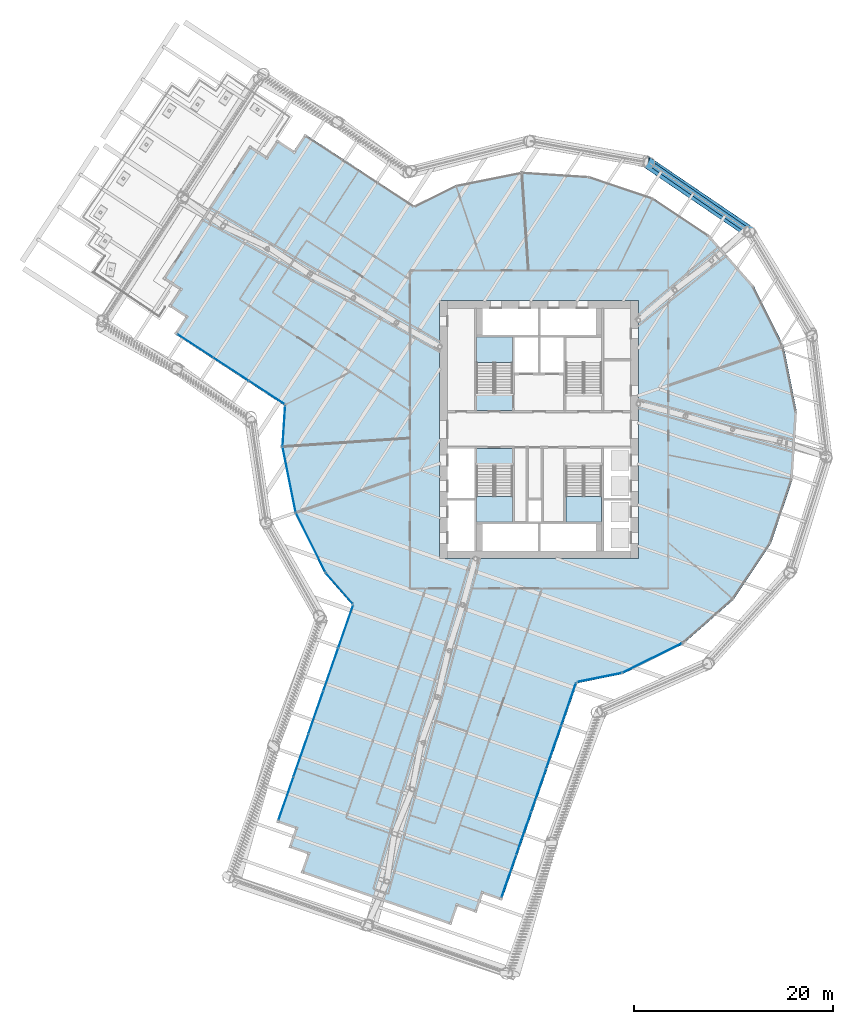
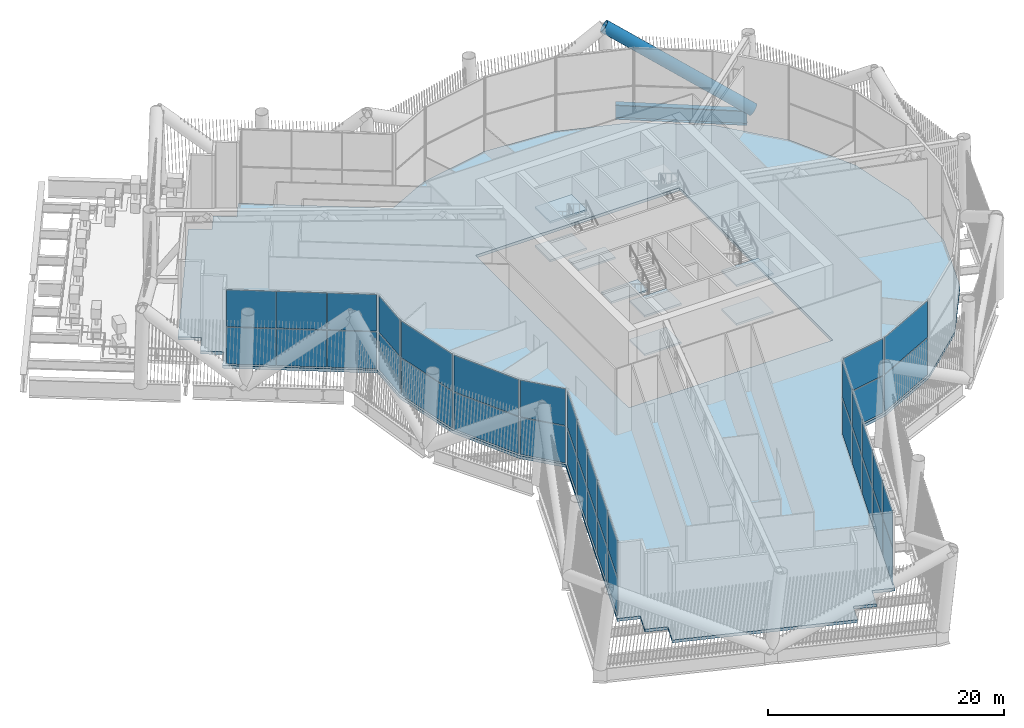
# One storey, part 37 of 63: 38 plates, 9 slabs, 1 beam, 1 member, 12 elements without a shape of their own.
"""IFC4 building model written with IfcOpenShell, lengths in metres."""

from ifc_helpers import new_model, si_unit, direction, frame, origin, origin_2d, place, context, subcontext, project, spatial, polyline, rectangle, hollow_circle, i_section, outline, extrude, material, layer, layer_set, material_profile, profile_set, type_object, element, aggregate, save


model = new_model("IFC4")

# Units and contexts
model_context = context("Model", 3, precision=1e-05, world=origin(), true_north=direction((0.0, 1.0)))
body_context = subcontext(model_context, "Body", "Model", "MODEL_VIEW")
ifc_project = project(units=[si_unit("LENGTHUNIT", "METRE"), si_unit("AREAUNIT", "SQUARE_METRE"), si_unit("VOLUMEUNIT", "CUBIC_METRE"), si_unit("PLANEANGLEUNIT", "RADIAN"), si_unit("MASSUNIT", "GRAM", prefix="KILO")], contexts=[model_context])

# Site, building, storey
site_placement = place(None, origin())
site = spatial("IfcSite", under=ifc_project, at=site_placement, CompositionType="ELEMENT")
building_placement = place(site_placement, origin())
building = spatial("IfcBuilding", under=site, at=building_placement, Name="Tarsis Ring Headquarters", CompositionType="ELEMENT")
storey_placement = place(building_placement, frame((0.0, 0.0, 139.60009765625)))
storey = spatial("IfcBuildingStorey", under=building, at=storey_placement, Name="L32", CompositionType="ELEMENT", Elevation=139.60009765625)

# Member
ifc_material_1 = material(Name="Structural steel S355", Category="steel")
ifc_material_profile_1 = material_profile(ifc_material_1, hollow_circle(Radius=0.584228515625, WallThickness=0.044921875, at=origin_2d()), Name="CHS 1168x45")
ifc_profile_set_1 = profile_set([ifc_material_profile_1], Name="Structural steel S355")
member_type = type_object("IfcMemberType", Name="TD Belt truss diagonal CHS 1168x45", PredefinedType="BRACE", material=ifc_profile_set_1)
member_placement = place(storey_placement, frame((21.181640625, 19.878662109375, 0.0), z_axis=(-0.699764612633, 0.475474825032, 0.533153990577), x_axis=(-0.562014878479, -0.827127122254, 0.0)))
element("IfcMember", 1, at=member_placement, inside=storey, type_object=member_type, Name="Belt truss diagonal TD3", PredefinedType="BRACE", context=body_context, shape_type="SweptSolid", body=[
    extrude(hollow_circle(Radius=0.584228515625, WallThickness=0.044921875, at=origin_2d()), origin(), (0.0, 0.0, 1.0), 15.005126953125),
])

# Beam
ifc_material_profile_2 = material_profile(ifc_material_1, i_section(OverallWidth=0.550048828125, OverallDepth=1.5, WebThickness=0.030029296875, FlangeThickness=0.050048828125, at=origin_2d()), Name="PG 1500x550x30x50")
ifc_profile_set_2 = profile_set([ifc_material_profile_2], Name="Structural steel S355")
beam_type = type_object("IfcBeamType", Name="XG Ring girder PG 1500x550x30x50", PredefinedType="BEAM", material=ifc_profile_set_2)
beam_placement = place(storey_placement, frame((20.7490234375, 20.177490234375, -0.75), z_axis=(-0.822683245151, 0.568500024756, 0.0), x_axis=(-0.568500024756, -0.822683245151, 0.0)))
element("IfcBeam", 2, at=beam_placement, inside=storey, type_object=beam_type, Name="Ring girder XG6", PredefinedType="BEAM", context=body_context, shape_type="SweptSolid", body=[
    extrude(i_section(OverallWidth=0.550048828125, OverallDepth=1.5, WebThickness=0.030029296875, FlangeThickness=0.050048828125, at=origin_2d()), origin(), (0.0, 0.0, 1.0), 11.197509765625),
])

# Stair, slabs
ifc_material_2 = material(Name="Core stair 1760")
stair_type = type_object("IfcStairType", Name="Core stair 1760", PredefinedType="HALF_TURN_STAIR", material=ifc_material_2)
stair_1_placement = place(storey_placement, origin())
stair_1 = element("IfcStair", 3, at=stair_1_placement, inside=storey, type_object=stair_type, Name="L32 Firefighting stair", PredefinedType="HALF_TURN_STAIR")
ifc_material_3 = material(Name="Concrete C40/50", Category="concrete")
ifc_layer_1 = layer(ifc_material_3, 0.199951171875)
ifc_layer_set_1 = layer_set([ifc_layer_1], Name="Core stair landing 200")
slab_type_1 = type_object("IfcSlabType", Name="Core stair landing 200", PredefinedType="LANDING", material=ifc_layer_set_1)
slab_1_placement = place(storey_placement, frame((0.0, 0.0, 1.7998046875)))
slab_1 = element("IfcSlab", 4, at=slab_1_placement, type_object=slab_type_1, Name="Stair ST1 landing 1", PredefinedType="LANDING", context=body_context, shape_type="SweptSolid", body=[
    extrude(outline(polyline([(-2.699951171875, 6.739990234375), (-2.699951171875, 9.300048828125), (-6.300048828125, 9.300048828125), (-6.300048828125, 6.739990234375), (-2.699951171875, 6.739990234375)])), origin(), (0.0, 0.0, 1.0), 0.2001953125),
])
slab_2_placement = place(storey_placement, frame((0.0, 0.0, 3.7998046875)))
slab_2 = element("IfcSlab", 5, at=slab_2_placement, type_object=slab_type_1, Name="Stair ST1 landing 2", PredefinedType="LANDING", context=body_context, shape_type="SweptSolid", body=[
    extrude(outline(polyline([(-2.699951171875, 1.89990234375), (-2.699951171875, 3.659912109375), (-6.300048828125, 3.659912109375), (-6.300048828125, 1.89990234375), (-2.699951171875, 1.89990234375)])), origin(), (0.0, 0.0, 1.0), 0.2001953125),
])
slab_3_placement = place(storey_placement, frame((0.0, 0.0, 5.7998046875)))
slab_3 = element("IfcSlab", 6, at=slab_3_placement, type_object=slab_type_1, Name="Stair ST1 landing 3", PredefinedType="LANDING", context=body_context, shape_type="SweptSolid", body=[
    extrude(outline(polyline([(-2.699951171875, 6.739990234375), (-2.699951171875, 9.300048828125), (-6.300048828125, 9.300048828125), (-6.300048828125, 6.739990234375), (-2.699951171875, 6.739990234375)])), origin(), (0.0, 0.0, 1.0), 0.2001953125),
])
aggregate(stair_1, [slab_1, slab_2, slab_3])

stair_2_placement = place(storey_placement, origin())
stair_2 = element("IfcStair", 7, at=stair_2_placement, inside=storey, type_object=stair_type, Name="L32 Exit stair C", PredefinedType="HALF_TURN_STAIR")
slab_4_placement = place(storey_placement, frame((0.0, 0.0, 1.7998046875)))
slab_4 = element("IfcSlab", 8, at=slab_4_placement, type_object=slab_type_1, Name="Stair ST3 landing 1", PredefinedType="LANDING", context=body_context, shape_type="SweptSolid", body=[
    extrude(outline(polyline([(-6.300048828125, -6.739990234375), (-6.300048828125, -9.300048828125), (-2.699951171875, -9.300048828125), (-2.699951171875, -6.739990234375), (-6.300048828125, -6.739990234375)])), origin(), (0.0, 0.0, 1.0), 0.2001953125),
])
slab_5_placement = place(storey_placement, frame((0.0, 0.0, 3.7998046875)))
slab_5 = element("IfcSlab", 9, at=slab_5_placement, type_object=slab_type_1, Name="Stair ST3 landing 2", PredefinedType="LANDING", context=body_context, shape_type="SweptSolid", body=[
    extrude(outline(polyline([(-6.300048828125, -1.89990234375), (-6.300048828125, -3.659912109375), (-2.699951171875, -3.659912109375), (-2.699951171875, -1.89990234375), (-6.300048828125, -1.89990234375)])), origin(), (0.0, 0.0, 1.0), 0.2001953125),
])
slab_6_placement = place(storey_placement, frame((0.0, 0.0, 5.7998046875)))
slab_6 = element("IfcSlab", 10, at=slab_6_placement, type_object=slab_type_1, Name="Stair ST3 landing 3", PredefinedType="LANDING", context=body_context, shape_type="SweptSolid", body=[
    extrude(outline(polyline([(-6.300048828125, -6.739990234375), (-6.300048828125, -9.300048828125), (-2.699951171875, -9.300048828125), (-2.699951171875, -6.739990234375), (-6.300048828125, -6.739990234375)])), origin(), (0.0, 0.0, 1.0), 0.2001953125),
])
aggregate(stair_2, [slab_4, slab_5, slab_6])

stair_3_placement = place(storey_placement, origin())
stair_3 = element("IfcStair", 11, at=stair_3_placement, inside=storey, type_object=stair_type, Name="L32 Exit stair D", PredefinedType="HALF_TURN_STAIR")
slab_7_placement = place(storey_placement, frame((0.0, 0.0, 1.7998046875)))
slab_7 = element("IfcSlab", 12, at=slab_7_placement, type_object=slab_type_1, Name="Stair ST4 landing 1", PredefinedType="LANDING", context=body_context, shape_type="SweptSolid", body=[
    extrude(outline(polyline([(2.699951171875, -6.739990234375), (2.699951171875, -9.300048828125), (6.300048828125, -9.300048828125), (6.300048828125, -6.739990234375), (2.699951171875, -6.739990234375)])), origin(), (0.0, 0.0, 1.0), 0.2001953125),
])
slab_8_placement = place(storey_placement, frame((0.0, 0.0, 5.7998046875)))
slab_8 = element("IfcSlab", 13, at=slab_8_placement, type_object=slab_type_1, Name="Stair ST4 landing 3", PredefinedType="LANDING", context=body_context, shape_type="SweptSolid", body=[
    extrude(outline(polyline([(2.699951171875, -6.739990234375), (2.699951171875, -9.300048828125), (6.300048828125, -9.300048828125), (6.300048828125, -6.739990234375), (2.699951171875, -6.739990234375)])), origin(), (0.0, 0.0, 1.0), 0.2001953125),
])
aggregate(stair_3, [slab_7, slab_8])

# Curtain wall, plates
ifc_material_4 = material(Name="Aluminium curtain wall", Category="aluminium")
ifc_layer_2 = layer(ifc_material_4, 0.25)
ifc_layer_set_2 = layer_set([ifc_layer_2], Name="Curtain wall sky lobby")
curtain_wall_type = type_object("IfcCurtainWallType", Name="Curtain wall sky lobby", PredefinedType="NOTDEFINED", material=ifc_layer_set_2)
curtain_wall_1_placement = place(storey_placement, origin())
curtain_wall_1 = element("IfcCurtainWall", 14, at=curtain_wall_1_placement, inside=storey, type_object=curtain_wall_type, Name="Curtain wall L32-01", PredefinedType="NOTDEFINED")
ifc_material_5 = material(Name="Clear double glazing", Category="glass")
ifc_layer_3 = layer(ifc_material_5, 0.028076171875)
ifc_layer_set_3 = layer_set([ifc_layer_3], Name="Curtain wall glass panel sky lobby")
plate_type = type_object("IfcPlateType", Name="Curtain wall glass panel sky lobby", PredefinedType="CURTAIN_PANEL", material=ifc_layer_set_3)
plate_1_placement = place(storey_placement, frame((-34.603759765625, 8.42431640625, 0.080078125), z_axis=(0.0, 0.0, 1.0), x_axis=(0.837146331946, -0.546978993115, 0.0)))
plate_1 = element("IfcPlate", 15, at=plate_1_placement, type_object=plate_type, Name="CW-S panel 1.1", PredefinedType="CURTAIN_PANEL", context=body_context, shape_type="SweptSolid", body=[
    extrude(rectangle(XDim=4.187255859375, YDim=0.028076171875, at=origin_2d()), origin(), (0.0, 0.0, 1.0), 3.800048828125),
])
plate_2_placement = place(storey_placement, frame((-34.603759765625, 8.42431640625, 3.9599609375), z_axis=(0.0, 0.0, 1.0), x_axis=(0.837146331946, -0.546978993115, 0.0)))
plate_2 = element("IfcPlate", 16, at=plate_2_placement, type_object=plate_type, Name="CW-S panel 1.2", PredefinedType="CURTAIN_PANEL", context=body_context, shape_type="SweptSolid", body=[
    extrude(rectangle(XDim=4.187255859375, YDim=0.028076171875, at=origin_2d()), origin(), (0.0, 0.0, 1.0), 3.800048828125),
])
plate_3_placement = place(storey_placement, frame((-31.0146484375, 6.079345703125, 0.080078125), z_axis=(0.0, 0.0, 1.0), x_axis=(0.837146331946, -0.546978993115, 0.0)))
plate_3 = element("IfcPlate", 17, at=plate_3_placement, type_object=plate_type, Name="CW-S panel 2.1", PredefinedType="CURTAIN_PANEL", context=body_context, shape_type="SweptSolid", body=[
    extrude(rectangle(XDim=4.227294921875, YDim=0.028076171875, at=origin_2d()), origin(), (0.0, 0.0, 1.0), 3.800048828125),
])
plate_4_placement = place(storey_placement, frame((-31.0146484375, 6.079345703125, 3.9599609375), z_axis=(0.0, 0.0, 1.0), x_axis=(0.837146331946, -0.546978993115, 0.0)))
plate_4 = element("IfcPlate", 18, at=plate_4_placement, type_object=plate_type, Name="CW-S panel 2.2", PredefinedType="CURTAIN_PANEL", context=body_context, shape_type="SweptSolid", body=[
    extrude(rectangle(XDim=4.227294921875, YDim=0.028076171875, at=origin_2d()), origin(), (0.0, 0.0, 1.0), 3.800048828125),
])
plate_5_placement = place(storey_placement, frame((-27.425537109375, 3.734375, 0.080078125), z_axis=(0.0, 0.0, 1.0), x_axis=(0.837146331946, -0.546978993115, 0.0)))
plate_5 = element("IfcPlate", 19, at=plate_5_placement, type_object=plate_type, Name="CW-S panel 3.1", PredefinedType="CURTAIN_PANEL", context=body_context, shape_type="SweptSolid", body=[
    extrude(rectangle(XDim=4.187255859375, YDim=0.028076171875, at=origin_2d()), origin(), (0.0, 0.0, 1.0), 3.800048828125),
])
plate_6_placement = place(storey_placement, frame((-27.425537109375, 3.734375, 3.9599609375), z_axis=(0.0, 0.0, 1.0), x_axis=(0.837146331946, -0.546978993115, 0.0)))
plate_6 = element("IfcPlate", 20, at=plate_6_placement, type_object=plate_type, Name="CW-S panel 3.2", PredefinedType="CURTAIN_PANEL", context=body_context, shape_type="SweptSolid", body=[
    extrude(rectangle(XDim=4.187255859375, YDim=0.028076171875, at=origin_2d()), origin(), (0.0, 0.0, 1.0), 3.800048828125),
])
aggregate(curtain_wall_1, [plate_1, plate_2, plate_3, plate_4, plate_5, plate_6])

curtain_wall_2_placement = place(storey_placement, origin())
curtain_wall_2 = element("IfcCurtainWall", 21, at=curtain_wall_2_placement, inside=storey, type_object=curtain_wall_type, Name="Curtain wall L32-02", PredefinedType="NOTDEFINED")
plate_7_placement = place(storey_placement, frame((-25.68212890625, 0.358154296875, 0.080078125), z_axis=(0.0, 0.0, 1.0), x_axis=(-0.063835484378, -0.997960435556, 0.0)))
plate_7 = element("IfcPlate", 22, at=plate_7_placement, type_object=plate_type, Name="CW-S panel 1.1", PredefinedType="CURTAIN_PANEL", context=body_context, shape_type="SweptSolid", body=[
    extrude(rectangle(XDim=3.99755859375, YDim=0.028076171875, at=origin_2d()), origin(), (0.0, 0.0, 1.0), 3.800048828125),
])
plate_8_placement = place(storey_placement, frame((-25.68212890625, 0.358154296875, 3.9599609375), z_axis=(0.0, 0.0, 1.0), x_axis=(-0.063835484378, -0.997960435556, 0.0)))
plate_8 = element("IfcPlate", 23, at=plate_8_placement, type_object=plate_type, Name="CW-S panel 1.2", PredefinedType="CURTAIN_PANEL", context=body_context, shape_type="SweptSolid", body=[
    extrude(rectangle(XDim=3.99755859375, YDim=0.028076171875, at=origin_2d()), origin(), (0.0, 0.0, 1.0), 3.800048828125),
])
aggregate(curtain_wall_2, [plate_7, plate_8])

curtain_wall_3_placement = place(storey_placement, origin())
curtain_wall_3 = element("IfcCurtainWall", 24, at=curtain_wall_3_placement, inside=storey, type_object=curtain_wall_type, Name="Curtain wall L32-03", PredefinedType="NOTDEFINED")
plate_9_placement = place(storey_placement, frame((-25.15185546875, -5.044189453125, 0.080078125), z_axis=(0.0, 0.0, 1.0), x_axis=(0.196630671205, -0.980477628068, 0.0)))
plate_9 = element("IfcPlate", 25, at=plate_9_placement, type_object=plate_type, Name="CW-S panel 1.1", PredefinedType="CURTAIN_PANEL", context=body_context, shape_type="SweptSolid", body=[
    extrude(rectangle(XDim=6.5615234375, YDim=0.028076171875, at=origin_2d()), origin(), (0.0, 0.0, 1.0), 3.800048828125),
])
plate_10_placement = place(storey_placement, frame((-25.15185546875, -5.044189453125, 3.9599609375), z_axis=(0.0, 0.0, 1.0), x_axis=(0.196630671205, -0.980477628068, 0.0)))
plate_10 = element("IfcPlate", 26, at=plate_10_placement, type_object=plate_type, Name="CW-S panel 1.2", PredefinedType="CURTAIN_PANEL", context=body_context, shape_type="SweptSolid", body=[
    extrude(rectangle(XDim=6.5615234375, YDim=0.028076171875, at=origin_2d()), origin(), (0.0, 0.0, 1.0), 3.800048828125),
])
aggregate(curtain_wall_3, [plate_9, plate_10])

curtain_wall_4_placement = place(storey_placement, origin())
curtain_wall_4 = element("IfcCurtainWall", 27, at=curtain_wall_4_placement, inside=storey, type_object=curtain_wall_type, Name="Curtain wall L32-04", PredefinedType="NOTDEFINED")
plate_11_placement = place(storey_placement, frame((-22.9892578125, -11.382080078125, 0.080078125), z_axis=(0.0, 0.0, 1.0), x_axis=(0.443696960471, -0.896176883918, 0.0)))
plate_11 = element("IfcPlate", 28, at=plate_11_placement, type_object=plate_type, Name="CW-S panel 1.1", PredefinedType="CURTAIN_PANEL", context=body_context, shape_type="SweptSolid", body=[
    extrude(rectangle(XDim=6.5615234375, YDim=0.028076171875, at=origin_2d()), origin(), (0.0, 0.0, 1.0), 3.800048828125),
])
plate_12_placement = place(storey_placement, frame((-22.9892578125, -11.382080078125, 3.9599609375), z_axis=(0.0, 0.0, 1.0), x_axis=(0.443696960471, -0.896176883918, 0.0)))
plate_12 = element("IfcPlate", 29, at=plate_12_placement, type_object=plate_type, Name="CW-S panel 1.2", PredefinedType="CURTAIN_PANEL", context=body_context, shape_type="SweptSolid", body=[
    extrude(rectangle(XDim=6.5615234375, YDim=0.028076171875, at=origin_2d()), origin(), (0.0, 0.0, 1.0), 3.800048828125),
])
aggregate(curtain_wall_4, [plate_11, plate_12])

curtain_wall_5_placement = place(storey_placement, origin())
curtain_wall_5 = element("IfcCurtainWall", 30, at=curtain_wall_5_placement, inside=storey, type_object=curtain_wall_type, Name="Curtain wall L32-05", PredefinedType="NOTDEFINED")
plate_13_placement = place(storey_placement, frame((-20.10693359375, -15.981689453125, 0.080078125), z_axis=(0.0, 0.0, 1.0), x_axis=(0.660526055427, -0.750803123396, 0.0)))
plate_13 = element("IfcPlate", 31, at=plate_13_placement, type_object=plate_type, Name="CW-S panel 1.1", PredefinedType="CURTAIN_PANEL", context=body_context, shape_type="SweptSolid", body=[
    extrude(rectangle(XDim=3.99755859375, YDim=0.028076171875, at=origin_2d()), origin(), (0.0, 0.0, 1.0), 3.800048828125),
])
plate_14_placement = place(storey_placement, frame((-20.10693359375, -15.981689453125, 3.9599609375), z_axis=(0.0, 0.0, 1.0), x_axis=(0.660526055427, -0.750803123396, 0.0)))
plate_14 = element("IfcPlate", 32, at=plate_14_placement, type_object=plate_type, Name="CW-S panel 1.2", PredefinedType="CURTAIN_PANEL", context=body_context, shape_type="SweptSolid", body=[
    extrude(rectangle(XDim=3.99755859375, YDim=0.028076171875, at=origin_2d()), origin(), (0.0, 0.0, 1.0), 3.800048828125),
])
aggregate(curtain_wall_5, [plate_13, plate_14])

curtain_wall_6_placement = place(storey_placement, origin())
curtain_wall_6 = element("IfcCurtainWall", 33, at=curtain_wall_6_placement, inside=storey, type_object=curtain_wall_type, Name="Curtain wall L32-06", PredefinedType="NOTDEFINED")
plate_15_placement = place(storey_placement, frame((-19.468505859375, -19.85009765625, 0.080078125), z_axis=(0.0, 0.0, 1.0), x_axis=(-0.328207238848, -0.94460574229, 0.0)))
plate_15 = element("IfcPlate", 34, at=plate_15_placement, type_object=plate_type, Name="CW-S panel 1.1", PredefinedType="CURTAIN_PANEL", context=body_context, shape_type="SweptSolid", body=[
    extrude(rectangle(XDim=4.46435546875, YDim=0.028076171875, at=origin_2d()), origin(), (0.0, 0.0, 1.0), 3.800048828125),
])
plate_16_placement = place(storey_placement, frame((-19.468505859375, -19.85009765625, 3.9599609375), z_axis=(0.0, 0.0, 1.0), x_axis=(-0.328207238848, -0.94460574229, 0.0)))
plate_16 = element("IfcPlate", 35, at=plate_16_placement, type_object=plate_type, Name="CW-S panel 1.2", PredefinedType="CURTAIN_PANEL", context=body_context, shape_type="SweptSolid", body=[
    extrude(rectangle(XDim=4.46435546875, YDim=0.028076171875, at=origin_2d()), origin(), (0.0, 0.0, 1.0), 3.800048828125),
])
plate_17_placement = place(storey_placement, frame((-20.966552734375, -24.16162109375, 0.080078125), z_axis=(0.0, 0.0, 1.0), x_axis=(-0.328207238848, -0.94460574229, 0.0)))
plate_17 = element("IfcPlate", 36, at=plate_17_placement, type_object=plate_type, Name="CW-S panel 2.1", PredefinedType="CURTAIN_PANEL", context=body_context, shape_type="SweptSolid", body=[
    extrude(rectangle(XDim=4.50439453125, YDim=0.028076171875, at=origin_2d()), origin(), (0.0, 0.0, 1.0), 3.800048828125),
])
plate_18_placement = place(storey_placement, frame((-20.966552734375, -24.16162109375, 3.9599609375), z_axis=(0.0, 0.0, 1.0), x_axis=(-0.328207238848, -0.94460574229, 0.0)))
plate_18 = element("IfcPlate", 37, at=plate_18_placement, type_object=plate_type, Name="CW-S panel 2.2", PredefinedType="CURTAIN_PANEL", context=body_context, shape_type="SweptSolid", body=[
    extrude(rectangle(XDim=4.50439453125, YDim=0.028076171875, at=origin_2d()), origin(), (0.0, 0.0, 1.0), 3.800048828125),
])
plate_19_placement = place(storey_placement, frame((-22.47119140625, -28.4921875, 0.080078125), z_axis=(0.0, 0.0, 1.0), x_axis=(-0.328207238848, -0.94460574229, 0.0)))
plate_19 = element("IfcPlate", 38, at=plate_19_placement, type_object=plate_type, Name="CW-S panel 3.1", PredefinedType="CURTAIN_PANEL", context=body_context, shape_type="SweptSolid", body=[
    extrude(rectangle(XDim=4.50439453125, YDim=0.028076171875, at=origin_2d()), origin(), (0.0, 0.0, 1.0), 3.800048828125),
])
plate_20_placement = place(storey_placement, frame((-22.47119140625, -28.4921875, 3.9599609375), z_axis=(0.0, 0.0, 1.0), x_axis=(-0.328207238848, -0.94460574229, 0.0)))
plate_20 = element("IfcPlate", 39, at=plate_20_placement, type_object=plate_type, Name="CW-S panel 3.2", PredefinedType="CURTAIN_PANEL", context=body_context, shape_type="SweptSolid", body=[
    extrude(rectangle(XDim=4.50439453125, YDim=0.028076171875, at=origin_2d()), origin(), (0.0, 0.0, 1.0), 3.800048828125),
])
plate_21_placement = place(storey_placement, frame((-23.975830078125, -32.822509765625, 0.080078125), z_axis=(0.0, 0.0, 1.0), x_axis=(-0.328207238848, -0.94460574229, 0.0)))
plate_21 = element("IfcPlate", 40, at=plate_21_placement, type_object=plate_type, Name="CW-S panel 4.1", PredefinedType="CURTAIN_PANEL", context=body_context, shape_type="SweptSolid", body=[
    extrude(rectangle(XDim=4.50439453125, YDim=0.028076171875, at=origin_2d()), origin(), (0.0, 0.0, 1.0), 3.800048828125),
])
plate_22_placement = place(storey_placement, frame((-23.975830078125, -32.822509765625, 3.9599609375), z_axis=(0.0, 0.0, 1.0), x_axis=(-0.328207238848, -0.94460574229, 0.0)))
plate_22 = element("IfcPlate", 41, at=plate_22_placement, type_object=plate_type, Name="CW-S panel 4.2", PredefinedType="CURTAIN_PANEL", context=body_context, shape_type="SweptSolid", body=[
    extrude(rectangle(XDim=4.50439453125, YDim=0.028076171875, at=origin_2d()), origin(), (0.0, 0.0, 1.0), 3.800048828125),
])
plate_23_placement = place(storey_placement, frame((-25.473876953125, -37.134033203125, 0.080078125), z_axis=(0.0, 0.0, 1.0), x_axis=(-0.328207238848, -0.94460574229, 0.0)))
plate_23 = element("IfcPlate", 42, at=plate_23_placement, type_object=plate_type, Name="CW-S panel 5.1", PredefinedType="CURTAIN_PANEL", context=body_context, shape_type="SweptSolid", body=[
    extrude(rectangle(XDim=4.46435546875, YDim=0.028076171875, at=origin_2d()), origin(), (0.0, 0.0, 1.0), 3.800048828125),
])
plate_24_placement = place(storey_placement, frame((-25.473876953125, -37.134033203125, 3.9599609375), z_axis=(0.0, 0.0, 1.0), x_axis=(-0.328207238848, -0.94460574229, 0.0)))
plate_24 = element("IfcPlate", 43, at=plate_24_placement, type_object=plate_type, Name="CW-S panel 5.2", PredefinedType="CURTAIN_PANEL", context=body_context, shape_type="SweptSolid", body=[
    extrude(rectangle(XDim=4.46435546875, YDim=0.028076171875, at=origin_2d()), origin(), (0.0, 0.0, 1.0), 3.800048828125),
])
aggregate(curtain_wall_6, [plate_15, plate_16, plate_17, plate_18, plate_19, plate_20, plate_21, plate_22, plate_23, plate_24])

curtain_wall_7_placement = place(storey_placement, origin())
curtain_wall_7 = element("IfcCurtainWall", 44, at=curtain_wall_7_placement, inside=storey, type_object=curtain_wall_type, Name="Curtain wall L32-16", PredefinedType="NOTDEFINED")
plate_25_placement = place(storey_placement, frame((-3.0400390625, -44.930908203125, 0.080078125), z_axis=(0.0, 0.0, 1.0), x_axis=(0.32820729271, 0.944605723576, 0.0)))
plate_25 = element("IfcPlate", 45, at=plate_25_placement, type_object=plate_type, Name="CW-S panel 1.1", PredefinedType="CURTAIN_PANEL", context=body_context, shape_type="SweptSolid", body=[
    extrude(rectangle(XDim=4.460205078125, YDim=0.028076171875, at=origin_2d()), origin(), (0.0, 0.0, 1.0), 3.800048828125),
])
plate_26_placement = place(storey_placement, frame((-3.0400390625, -44.930908203125, 3.9599609375), z_axis=(0.0, 0.0, 1.0), x_axis=(0.32820729271, 0.944605723576, 0.0)))
plate_26 = element("IfcPlate", 46, at=plate_26_placement, type_object=plate_type, Name="CW-S panel 1.2", PredefinedType="CURTAIN_PANEL", context=body_context, shape_type="SweptSolid", body=[
    extrude(rectangle(XDim=4.460205078125, YDim=0.028076171875, at=origin_2d()), origin(), (0.0, 0.0, 1.0), 3.800048828125),
])
plate_27_placement = place(storey_placement, frame((-1.54345703125, -40.623291015625, 0.080078125), z_axis=(0.0, 0.0, 1.0), x_axis=(0.32820729271, 0.944605723576, 0.0)))
plate_27 = element("IfcPlate", 47, at=plate_27_placement, type_object=plate_type, Name="CW-S panel 2.1", PredefinedType="CURTAIN_PANEL", context=body_context, shape_type="SweptSolid", body=[
    extrude(rectangle(XDim=4.500244140625, YDim=0.028076171875, at=origin_2d()), origin(), (0.0, 0.0, 1.0), 3.800048828125),
])
plate_28_placement = place(storey_placement, frame((-1.54345703125, -40.623291015625, 3.9599609375), z_axis=(0.0, 0.0, 1.0), x_axis=(0.32820729271, 0.944605723576, 0.0)))
plate_28 = element("IfcPlate", 48, at=plate_28_placement, type_object=plate_type, Name="CW-S panel 2.2", PredefinedType="CURTAIN_PANEL", context=body_context, shape_type="SweptSolid", body=[
    extrude(rectangle(XDim=4.500244140625, YDim=0.028076171875, at=origin_2d()), origin(), (0.0, 0.0, 1.0), 3.800048828125),
])
plate_29_placement = place(storey_placement, frame((-0.0400390625, -36.296875, 0.080078125), z_axis=(0.0, 0.0, 1.0), x_axis=(0.32820729271, 0.944605723576, 0.0)))
plate_29 = element("IfcPlate", 49, at=plate_29_placement, type_object=plate_type, Name="CW-S panel 3.1", PredefinedType="CURTAIN_PANEL", context=body_context, shape_type="SweptSolid", body=[
    extrude(rectangle(XDim=4.500244140625, YDim=0.028076171875, at=origin_2d()), origin(), (0.0, 0.0, 1.0), 3.800048828125),
])
plate_30_placement = place(storey_placement, frame((-0.0400390625, -36.296875, 3.9599609375), z_axis=(0.0, 0.0, 1.0), x_axis=(0.32820729271, 0.944605723576, 0.0)))
plate_30 = element("IfcPlate", 50, at=plate_30_placement, type_object=plate_type, Name="CW-S panel 3.2", PredefinedType="CURTAIN_PANEL", context=body_context, shape_type="SweptSolid", body=[
    extrude(rectangle(XDim=4.500244140625, YDim=0.028076171875, at=origin_2d()), origin(), (0.0, 0.0, 1.0), 3.800048828125),
])
plate_31_placement = place(storey_placement, frame((1.463134765625, -31.97021484375, 0.080078125), z_axis=(0.0, 0.0, 1.0), x_axis=(0.32820729271, 0.944605723576, 0.0)))
plate_31 = element("IfcPlate", 51, at=plate_31_placement, type_object=plate_type, Name="CW-S panel 4.1", PredefinedType="CURTAIN_PANEL", context=body_context, shape_type="SweptSolid", body=[
    extrude(rectangle(XDim=4.500244140625, YDim=0.028076171875, at=origin_2d()), origin(), (0.0, 0.0, 1.0), 3.800048828125),
])
plate_32_placement = place(storey_placement, frame((1.463134765625, -31.97021484375, 3.9599609375), z_axis=(0.0, 0.0, 1.0), x_axis=(0.32820729271, 0.944605723576, 0.0)))
plate_32 = element("IfcPlate", 52, at=plate_32_placement, type_object=plate_type, Name="CW-S panel 4.2", PredefinedType="CURTAIN_PANEL", context=body_context, shape_type="SweptSolid", body=[
    extrude(rectangle(XDim=4.500244140625, YDim=0.028076171875, at=origin_2d()), origin(), (0.0, 0.0, 1.0), 3.800048828125),
])
plate_33_placement = place(storey_placement, frame((2.9599609375, -27.66259765625, 0.080078125), z_axis=(0.0, 0.0, 1.0), x_axis=(0.32820729271, 0.944605723576, 0.0)))
plate_33 = element("IfcPlate", 53, at=plate_33_placement, type_object=plate_type, Name="CW-S panel 5.1", PredefinedType="CURTAIN_PANEL", context=body_context, shape_type="SweptSolid", body=[
    extrude(rectangle(XDim=4.460205078125, YDim=0.028076171875, at=origin_2d()), origin(), (0.0, 0.0, 1.0), 3.800048828125),
])
plate_34_placement = place(storey_placement, frame((2.9599609375, -27.66259765625, 3.9599609375), z_axis=(0.0, 0.0, 1.0), x_axis=(0.32820729271, 0.944605723576, 0.0)))
plate_34 = element("IfcPlate", 54, at=plate_34_placement, type_object=plate_type, Name="CW-S panel 5.2", PredefinedType="CURTAIN_PANEL", context=body_context, shape_type="SweptSolid", body=[
    extrude(rectangle(XDim=4.460205078125, YDim=0.028076171875, at=origin_2d()), origin(), (0.0, 0.0, 1.0), 3.800048828125),
])
aggregate(curtain_wall_7, [plate_25, plate_26, plate_27, plate_28, plate_29, plate_30, plate_31, plate_32, plate_33, plate_34])

curtain_wall_8_placement = place(storey_placement, origin())
curtain_wall_8 = element("IfcCurtainWall", 55, at=curtain_wall_8_placement, inside=storey, type_object=curtain_wall_type, Name="Curtain wall L32-17", PredefinedType="NOTDEFINED")
plate_35_placement = place(storey_placement, frame((6.075439453125, -24.94482421875, 0.080078125), z_axis=(0.0, 0.0, 1.0), x_axis=(0.980477628085, 0.19663067112, 0.0)))
plate_35 = element("IfcPlate", 56, at=plate_35_placement, type_object=plate_type, Name="CW-S panel 1.1", PredefinedType="CURTAIN_PANEL", context=body_context, shape_type="SweptSolid", body=[
    extrude(rectangle(XDim=4.457763671875, YDim=0.028076171875, at=origin_2d()), origin(), (0.0, 0.0, 1.0), 3.800048828125),
])
plate_36_placement = place(storey_placement, frame((6.075439453125, -24.94482421875, 3.9599609375), z_axis=(0.0, 0.0, 1.0), x_axis=(0.980477628085, 0.19663067112, 0.0)))
plate_36 = element("IfcPlate", 57, at=plate_36_placement, type_object=plate_type, Name="CW-S panel 1.2", PredefinedType="CURTAIN_PANEL", context=body_context, shape_type="SweptSolid", body=[
    extrude(rectangle(XDim=4.457763671875, YDim=0.028076171875, at=origin_2d()), origin(), (0.0, 0.0, 1.0), 3.800048828125),
])
aggregate(curtain_wall_8, [plate_35, plate_36])

curtain_wall_9_placement = place(storey_placement, origin())
curtain_wall_9 = element("IfcCurtainWall", 58, at=curtain_wall_9_placement, inside=storey, type_object=curtain_wall_type, Name="Curtain wall L32-18", PredefinedType="NOTDEFINED")
plate_37_placement = place(storey_placement, frame((11.382080078125, -22.9892578125, 0.080078125), z_axis=(0.0, 0.0, 1.0), x_axis=(0.896176883918, 0.443696960471, 0.0)))
plate_37 = element("IfcPlate", 59, at=plate_37_placement, type_object=plate_type, Name="CW-S panel 1.1", PredefinedType="CURTAIN_PANEL", context=body_context, shape_type="SweptSolid", body=[
    extrude(rectangle(XDim=6.5615234375, YDim=0.028076171875, at=origin_2d()), origin(), (0.0, 0.0, 1.0), 3.800048828125),
])
plate_38_placement = place(storey_placement, frame((11.382080078125, -22.9892578125, 3.9599609375), z_axis=(0.0, 0.0, 1.0), x_axis=(0.896176883918, 0.443696960471, 0.0)))
plate_38 = element("IfcPlate", 60, at=plate_38_placement, type_object=plate_type, Name="CW-S panel 1.2", PredefinedType="CURTAIN_PANEL", context=body_context, shape_type="SweptSolid", body=[
    extrude(rectangle(XDim=6.5615234375, YDim=0.028076171875, at=origin_2d()), origin(), (0.0, 0.0, 1.0), 3.800048828125),
])
aggregate(curtain_wall_9, [plate_37, plate_38])

# Slab
ifc_material_6 = material(Name="Concrete C35/45", Category="concrete")
ifc_layer_4 = layer(ifc_material_6, 0.300048828125)
ifc_layer_set_4 = layer_set([ifc_layer_4], Name="FS Composite floor slab 300")
slab_type_2 = type_object("IfcSlabType", Name="FS Composite floor slab 300", PredefinedType="FLOOR", material=ifc_layer_set_4)
slab_9_placement = place(storey_placement, frame((0.0, 0.0, -0.300048828125)))
element("IfcSlab", 61, at=slab_9_placement, inside=storey, type_object=slab_type_2, Name="Floor slab L32", PredefinedType="FLOOR", context=body_context, shape_type="SweptSolid", body=[
    extrude(outline(polyline([(-25.674072265625, 2.440673828125), (-25.941650390625, -1.7412109375), (-24.60693359375, -8.39599609375), (-21.595458984375, -14.478759765625), (-18.82763671875, -17.625), (-26.432861328125, -39.513427734375), (-24.543701171875, -40.169677734375), (-25.199951171875, -42.05908203125), (-23.310791015625, -42.71533203125), (-23.96728515625, -44.604736328125), (-8.853515625, -49.85595703125), (-8.197021484375, -47.966796875), (-6.307861328125, -48.623046875), (-5.6513671875, -46.73388671875), (-3.76220703125, -47.390380859375), (3.836181640625, -25.521484375), (8.39599609375, -24.60693359375), (14.478759765625, -21.595458984375), (19.57470703125, -17.1123046875), (23.336669921875, -11.462890625), (25.50830078125, -5.0322265625), (25.941650390625, 1.7412109375), (24.60693359375, 8.39599609375), (21.595458984375, 14.478759765625), (17.1123046875, 19.57470703125), (11.462890625, 23.336669921875), (5.0322265625, 25.50830078125), (-1.7412109375, 25.941650390625), (-8.39599609375, 24.60693359375), (-12.56396484375, 22.54345703125), (-23.573486328125, 29.737060546875), (-24.66748046875, 28.062744140625), (-26.341796875, 29.15673828125), (-27.435791015625, 27.482421875), (-29.110107421875, 28.576416015625), (-37.861572265625, 15.181884765625), (-36.1875, 14.088134765625), (-37.28125, 12.413818359375), (-35.607177734375, 11.31982421875), (-36.700927734375, 9.6455078125), (-25.674072265625, 2.440673828125)]), holes=[polyline([(-10.0, -13.0), (-10.0, 13.0), (10.0, 13.0), (10.0, -13.0), (-10.0, -13.0)])]), origin(), (0.0, 0.0, 1.0), 0.300048828125),
])

save(model, "model.ifc")
